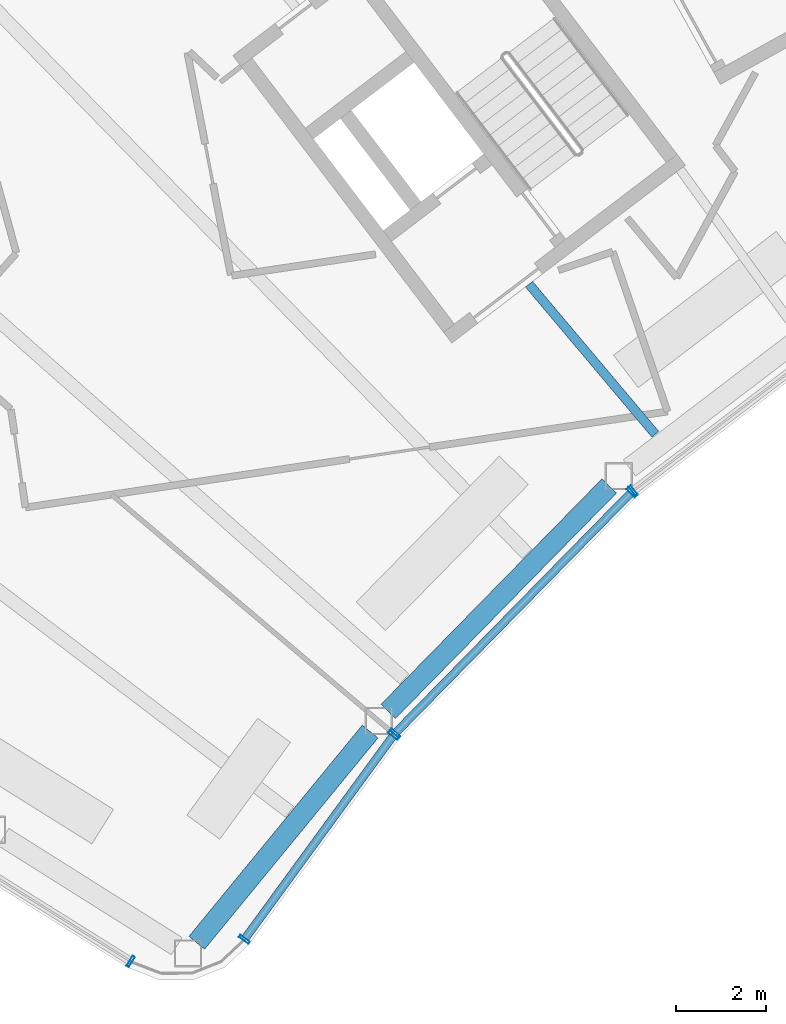
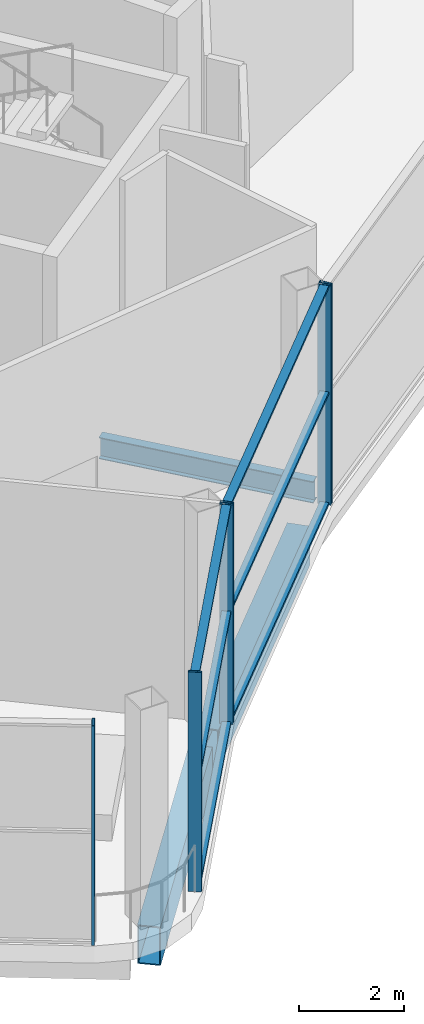
# One storey, part 6 of 43: 12 members, 3 beams, 4 elements without a shape of their own.
"""IFC4 building model written with IfcOpenShell, lengths in metres."""

from ifc_helpers import new_model, si_unit, direction, frame, origin, origin_2d, place, context, subcontext, project, spatial, hollow_rectangle, i_section, extrude, material, layer, layer_set, material_profile, profile_set, type_object, element, aggregate, save


model = new_model("IFC4")

# Units and contexts
model_context = context("Model", 3, precision=1e-05, world=origin(), true_north=direction((0.0, 1.0)))
body_context = subcontext(model_context, "Body", "Model", "MODEL_VIEW")
ifc_project = project(units=[si_unit("LENGTHUNIT", "METRE"), si_unit("AREAUNIT", "SQUARE_METRE"), si_unit("VOLUMEUNIT", "CUBIC_METRE"), si_unit("PLANEANGLEUNIT", "RADIAN"), si_unit("MASSUNIT", "GRAM", prefix="KILO")], contexts=[model_context])

# Site, building, storey
site_placement = place(None, origin())
site = spatial("IfcSite", under=ifc_project, at=site_placement, CompositionType="ELEMENT")
building_placement = place(site_placement, origin())
building = spatial("IfcBuilding", under=site, at=building_placement, Name="Tuul Gate Civic Tower", CompositionType="ELEMENT")
storey_placement = place(building_placement, frame((0.0, 0.0, 349.10009765625)))
storey = spatial("IfcBuildingStorey", under=building, at=storey_placement, Name="Observation level 1", CompositionType="ELEMENT", Elevation=349.10009765625)

# Curtain wall, member
ifc_material_1 = material(Name="Stainless steel", Category="steel")
ifc_layer = layer(ifc_material_1, 0.199951171875)
ifc_layer_set = layer_set([ifc_layer], Name="Stainless steel")
curtain_wall_type = type_object("IfcCurtainWallType", Name="Curtain wall CW4", PredefinedType="NOTDEFINED", material=ifc_layer_set)
curtain_wall_1_placement = place(storey_placement, origin())
curtain_wall_1 = element("IfcCurtainWall", 1, at=curtain_wall_1_placement, inside=storey, type_object=curtain_wall_type, Name="Curtain wall CW4", PredefinedType="NOTDEFINED")
ifc_material_2 = material(Name="Stainless steel", Category="steel")
ifc_material_profile_1 = material_profile(ifc_material_2, hollow_rectangle(XDim=0.260009765625, YDim=0.06005859375, WallThickness=0.006103515625, at=origin_2d()), Name="CW4 mullion")
ifc_profile_set_1 = profile_set([ifc_material_profile_1], Name="Stainless steel")
member_type_1 = type_object("IfcMemberType", Name="CW4 mullion", PredefinedType="MULLION", material=ifc_profile_set_1)
member_1_placement = place(storey_placement, frame((-43.38037109375, -31.4169921875, 0.0), z_axis=(0.0, 0.0, 1.0), x_axis=(0.529911707044, 0.848052818366, 0.0)))
member_1 = element("IfcMember", 2, at=member_1_placement, type_object=member_type_1, Name="Mullion", PredefinedType="MULLION", context=body_context, shape_type="SweptSolid", body=[
    extrude(hollow_rectangle(XDim=0.260009765625, YDim=0.06005859375, WallThickness=0.006103515625, at=origin_2d()), origin(), (0.0, 0.0, 1.0), 5.099853515625),
])
aggregate(curtain_wall_1, [member_1])

# Curtain wall, members
curtain_wall_2_placement = place(storey_placement, origin())
curtain_wall_2 = element("IfcCurtainWall", 3, at=curtain_wall_2_placement, inside=storey, type_object=curtain_wall_type, Name="Curtain wall CW4", PredefinedType="NOTDEFINED")
member_2_placement = place(storey_placement, frame((-40.8623046875, -30.9306640625, 0.0), z_axis=(0.0, 0.0, 1.0), x_axis=(-0.807595190444, 0.589737236717, 0.0)))
member_2 = element("IfcMember", 4, at=member_2_placement, type_object=member_type_1, Name="Mullion", PredefinedType="MULLION", context=body_context, shape_type="SweptSolid", body=[
    extrude(hollow_rectangle(XDim=0.260009765625, YDim=0.06005859375, WallThickness=0.006103515625, at=origin_2d()), origin(), (0.0, 0.0, 1.0), 5.099853515625),
])
member_3_placement = place(storey_placement, frame((-37.562744140625, -26.412109375, 0.0), z_axis=(0.0, 0.0, 1.0), x_axis=(-0.807595190444, 0.589737236717, 0.0)))
member_3 = element("IfcMember", 5, at=member_3_placement, type_object=member_type_1, Name="Mullion", PredefinedType="MULLION", context=body_context, shape_type="SweptSolid", body=[
    extrude(hollow_rectangle(XDim=0.260009765625, YDim=0.06005859375, WallThickness=0.006103515625, at=origin_2d()), origin(), (0.0, 0.0, 1.0), 5.099853515625),
])

curtain_wall_3_placement = place(storey_placement, origin())
curtain_wall_3 = element("IfcCurtainWall", 6, at=curtain_wall_3_placement, inside=storey, type_object=curtain_wall_type, Name="Curtain wall CW4", PredefinedType="NOTDEFINED")
member_4_placement = place(storey_placement, frame((-37.52392578125, -26.36669921875, 0.0), z_axis=(0.0, 0.0, 1.0), x_axis=(-0.714048093092, 0.700096651008, 0.0)))
member_4 = element("IfcMember", 7, at=member_4_placement, type_object=member_type_1, Name="Mullion", PredefinedType="MULLION", context=body_context, shape_type="SweptSolid", body=[
    extrude(hollow_rectangle(XDim=0.260009765625, YDim=0.06005859375, WallThickness=0.006103515625, at=origin_2d()), origin(), (0.0, 0.0, 1.0), 5.099853515625),
])
member_5_placement = place(storey_placement, frame((-32.297119140625, -21.035400390625, 0.0), z_axis=(0.0, 0.0, 1.0), x_axis=(-0.714048093092, 0.700096651008, 0.0)))
member_5 = element("IfcMember", 8, at=member_5_placement, type_object=member_type_1, Name="Mullion", PredefinedType="MULLION", context=body_context, shape_type="SweptSolid", body=[
    extrude(hollow_rectangle(XDim=0.260009765625, YDim=0.06005859375, WallThickness=0.006103515625, at=origin_2d()), origin(), (0.0, 0.0, 1.0), 5.099853515625),
])

# Curtain wall, member
curtain_wall_4_placement = place(storey_placement, origin())
curtain_wall_4 = element("IfcCurtainWall", 9, at=curtain_wall_4_placement, inside=storey, type_object=curtain_wall_type, Name="Curtain wall CW4", PredefinedType="NOTDEFINED")
member_6_placement = place(storey_placement, frame((-32.252197265625, -20.995849609375, 0.0), z_axis=(0.0, 0.0, 1.0), x_axis=(-0.605851052715, 0.795578092914, 0.0)))
member_6 = element("IfcMember", 10, at=member_6_placement, type_object=member_type_1, Name="Mullion", PredefinedType="MULLION", context=body_context, shape_type="SweptSolid", body=[
    extrude(hollow_rectangle(XDim=0.260009765625, YDim=0.06005859375, WallThickness=0.006103515625, at=origin_2d()), origin(), (0.0, 0.0, 1.0), 5.099853515625),
])
aggregate(curtain_wall_4, [member_6])

# Member
ifc_material_3 = material(Name="Stainless steel", Category="steel")
ifc_material_profile_2 = material_profile(ifc_material_3, hollow_rectangle(XDim=0.179931640625, YDim=0.06005859375, WallThickness=0.006103515625, at=origin_2d()), Name="CW4 transom")
ifc_profile_set_2 = profile_set([ifc_material_profile_2], Name="Stainless steel")
member_type_2 = type_object("IfcMemberType", Name="CW4 transom", PredefinedType="USERDEFINED", material=ifc_profile_set_2)
member_7_placement = place(storey_placement, frame((-40.8447265625, -30.906494140625, 0.02978515625), z_axis=(0.589767736198, 0.807572917661, 0.0), x_axis=(-0.807572917661, 0.589767736198, 0.0)))
member_7 = element("IfcMember", 11, at=member_7_placement, type_object=member_type_2, Name="Transom", ObjectType="TRANSOM", PredefinedType="USERDEFINED", context=body_context, shape_type="SweptSolid", body=[
    extrude(hollow_rectangle(XDim=0.179931640625, YDim=0.06005859375, WallThickness=0.006103515625, at=origin_2d()), origin(), (0.0, 0.0, 1.0), 5.53515625),
])

member_8_placement = place(storey_placement, frame((-40.8447265625, -30.906494140625, 2.599853515625), z_axis=(0.589767736198, 0.807572917661, 0.0), x_axis=(-0.807572917661, 0.589767736198, 0.0)))
member_8 = element("IfcMember", 12, at=member_8_placement, type_object=member_type_2, Name="Transom", ObjectType="TRANSOM", PredefinedType="USERDEFINED", context=body_context, shape_type="SweptSolid", body=[
    extrude(hollow_rectangle(XDim=0.179931640625, YDim=0.06005859375, WallThickness=0.006103515625, at=origin_2d()), origin(), (0.0, 0.0, 1.0), 5.53515625),
])

member_9_placement = place(storey_placement, frame((-40.8447265625, -30.906494140625, 5.06982421875), z_axis=(0.589767736198, 0.807572917661, 0.0), x_axis=(-0.807572917661, 0.589767736198, 0.0)))
member_9 = element("IfcMember", 13, at=member_9_placement, type_object=member_type_2, Name="Transom", ObjectType="TRANSOM", PredefinedType="USERDEFINED", context=body_context, shape_type="SweptSolid", body=[
    extrude(hollow_rectangle(XDim=0.179931640625, YDim=0.06005859375, WallThickness=0.006103515625, at=origin_2d()), origin(), (0.0, 0.0, 1.0), 5.53515625),
])

aggregate(curtain_wall_2, [member_2, member_3, member_7, member_8, member_9])

member_10_placement = place(storey_placement, frame((-37.5029296875, -26.34521484375, 0.02978515625), z_axis=(0.700083605586, 0.714060883392, 0.0), x_axis=(-0.714060883392, 0.700083605586, 0.0)))
member_10 = element("IfcMember", 14, at=member_10_placement, type_object=member_type_2, Name="Transom", ObjectType="TRANSOM", PredefinedType="USERDEFINED", context=body_context, shape_type="SweptSolid", body=[
    extrude(hollow_rectangle(XDim=0.179931640625, YDim=0.06005859375, WallThickness=0.006103515625, at=origin_2d()), origin(), (0.0, 0.0, 1.0), 7.406005859375),
])

member_11_placement = place(storey_placement, frame((-37.5029296875, -26.34521484375, 2.599853515625), z_axis=(0.700083605586, 0.714060883392, 0.0), x_axis=(-0.714060883392, 0.700083605586, 0.0)))
member_11 = element("IfcMember", 15, at=member_11_placement, type_object=member_type_2, Name="Transom", ObjectType="TRANSOM", PredefinedType="USERDEFINED", context=body_context, shape_type="SweptSolid", body=[
    extrude(hollow_rectangle(XDim=0.179931640625, YDim=0.06005859375, WallThickness=0.006103515625, at=origin_2d()), origin(), (0.0, 0.0, 1.0), 7.406005859375),
])

member_12_placement = place(storey_placement, frame((-37.5029296875, -26.34521484375, 5.06982421875), z_axis=(0.700083605586, 0.714060883392, 0.0), x_axis=(-0.714060883392, 0.700083605586, 0.0)))
member_12 = element("IfcMember", 16, at=member_12_placement, type_object=member_type_2, Name="Transom", ObjectType="TRANSOM", PredefinedType="USERDEFINED", context=body_context, shape_type="SweptSolid", body=[
    extrude(hollow_rectangle(XDim=0.179931640625, YDim=0.06005859375, WallThickness=0.006103515625, at=origin_2d()), origin(), (0.0, 0.0, 1.0), 7.406005859375),
])

aggregate(curtain_wall_3, [member_4, member_5, member_10, member_11, member_12])

# Beams
ifc_material_4 = material(Name="Steel S355", Category="steel")
ifc_material_profile_3 = material_profile(ifc_material_4, i_section(OverallWidth=0.199951171875, OverallDepth=0.5, WebThickness=0.010009765625, FlangeThickness=0.01611328125, at=origin_2d()), Name="PG500x200x10x16")
ifc_profile_set_3 = profile_set([ifc_material_profile_3], Name="Steel S355")
beam_type_1 = type_object("IfcBeamType", Name="STR-FLOOR BEAM-PG500x200x10x16", PredefinedType="BEAM", material=ifc_profile_set_3)
beam_1_placement = place(storey_placement, frame((-31.765869140625, -19.74462890625, -0.650146484375), z_axis=(-0.64417038831, 0.764882024122, 0.0), x_axis=(-0.764882024122, -0.64417038831, 0.0)))
element("IfcBeam", 17, at=beam_1_placement, inside=storey, type_object=beam_type_1, Name="Floor beam", PredefinedType="BEAM", context=body_context, shape_type="SweptSolid", body=[
    extrude(i_section(OverallWidth=0.199951171875, OverallDepth=0.5, WebThickness=0.010009765625, FlangeThickness=0.01611328125, at=origin_2d()), origin(), (0.0, 0.0, 1.0), 4.34033203125),
])
ifc_material_5 = material(Name="Steel S355", Category="steel")
ifc_material_profile_4 = material_profile(ifc_material_5, hollow_rectangle(XDim=0.449951171875, YDim=0.89990234375, WallThickness=0.02490234375, at=origin_2d()), Name="BOX900x450x25")
ifc_profile_set_4 = profile_set([ifc_material_profile_4], Name="Steel S355")
beam_type_2 = type_object("IfcBeamType", Name="STR-SPANDREL BEAM-BOX900x450x25", PredefinedType="BEAM", material=ifc_profile_set_4)
beam_2_placement = place(storey_placement, frame((-41.918701171875, -31.007080078125, -0.85009765625), z_axis=(0.63439697252, 0.773007426392, 0.0), x_axis=(-0.773007426392, 0.63439697252, 0.0)))
element("IfcBeam", 18, at=beam_2_placement, inside=storey, type_object=beam_type_2, Name="Spandrel beam", PredefinedType="BEAM", context=body_context, shape_type="SweptSolid", body=[
    extrude(hollow_rectangle(XDim=0.449951171875, YDim=0.89990234375, WallThickness=0.02490234375, at=origin_2d()), origin(), (0.0, 0.0, 1.0), 6.052001953125),
])
beam_3_placement = place(storey_placement, frame((-37.678955078125, -25.8828125, -0.85009765625), z_axis=(0.699947818205, 0.714193987507, 0.0), x_axis=(-0.714193987507, 0.699947818205, 0.0)))
element("IfcBeam", 19, at=beam_3_placement, inside=storey, type_object=beam_type_2, Name="Spandrel beam", PredefinedType="BEAM", context=body_context, shape_type="SweptSolid", body=[
    extrude(hollow_rectangle(XDim=0.449951171875, YDim=0.89990234375, WallThickness=0.02490234375, at=origin_2d()), origin(), (0.0, 0.0, 1.0), 6.991943359375),
])

save(model, "model.ifc")
